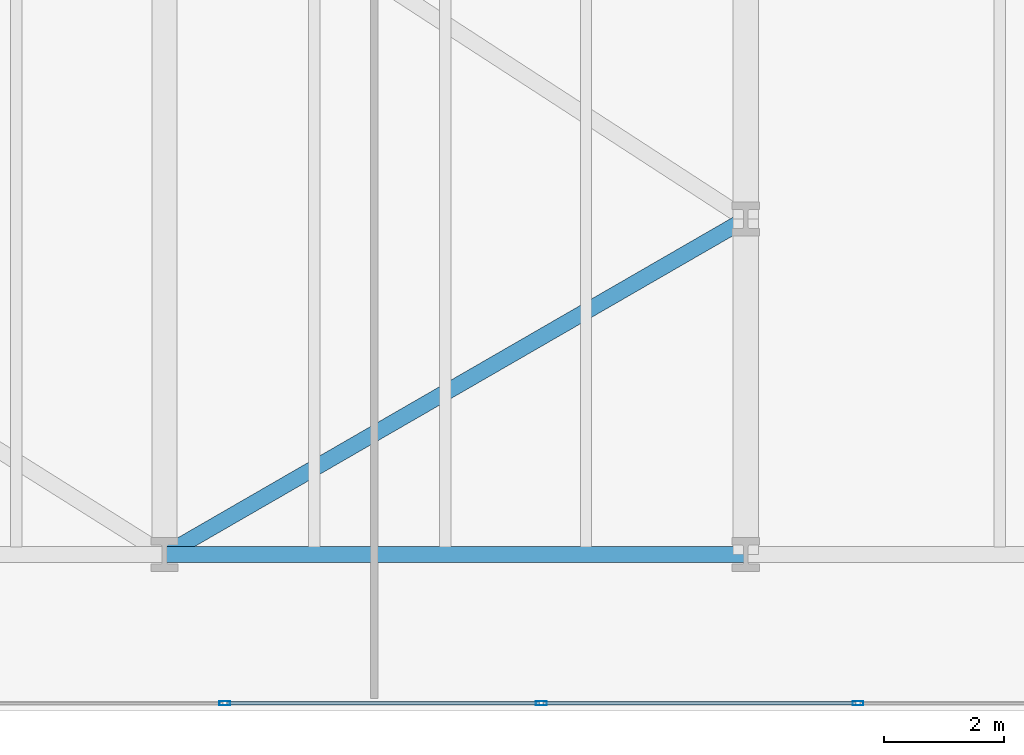
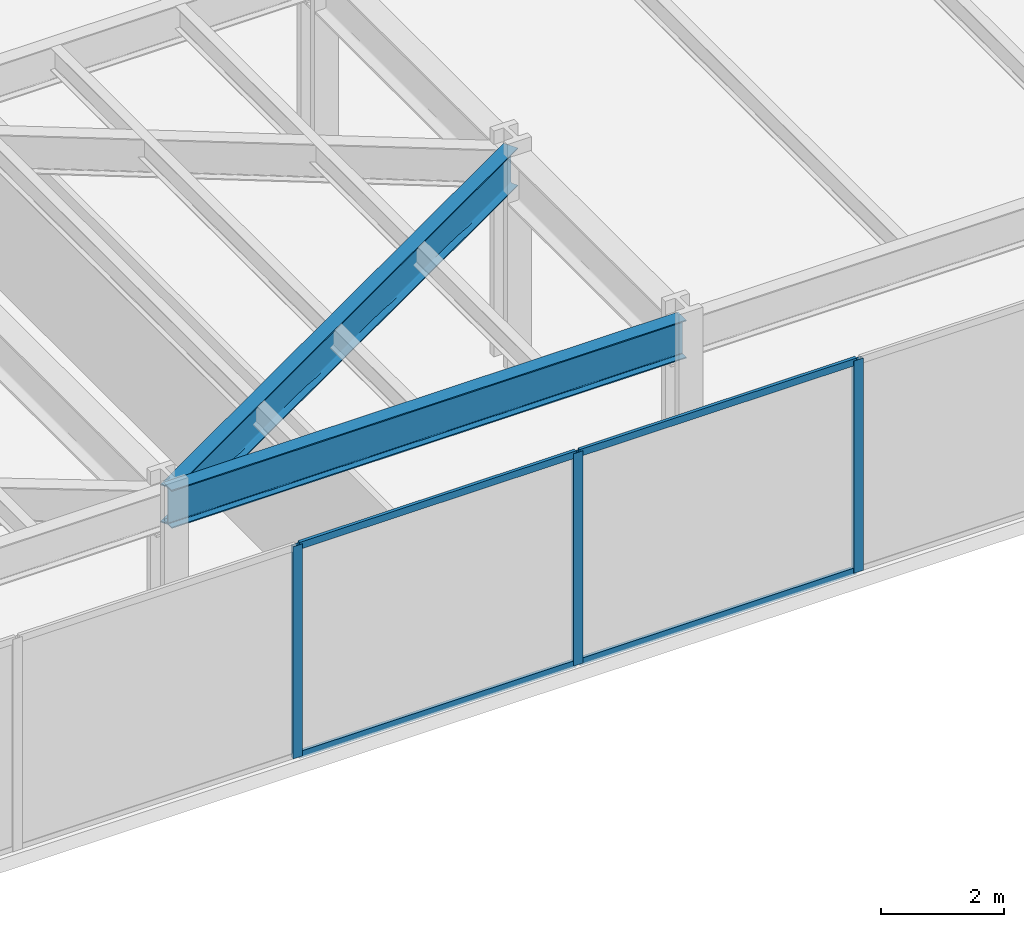
# One storey, part 6 of 28: 7 members, 2 beams, 1 element without a shape of its own.
"""IFC4 building model written with IfcOpenShell, lengths in metres."""

from ifc_helpers import new_model, si_unit, direction, frame, origin, origin_2d, place, context, subcontext, project, spatial, hollow_rectangle, i_section, extrude, material, layer, layer_set, material_profile, profile_set, type_object, element, aggregate, save


model = new_model("IFC4")

# Units and contexts
model_context = context("Model", 3, precision=1e-05, world=origin(), true_north=direction((0.0, 1.0)))
body_context = subcontext(model_context, "Body", "Model", "MODEL_VIEW")
ifc_project = project(units=[si_unit("LENGTHUNIT", "METRE"), si_unit("AREAUNIT", "SQUARE_METRE"), si_unit("VOLUMEUNIT", "CUBIC_METRE"), si_unit("PLANEANGLEUNIT", "RADIAN"), si_unit("MASSUNIT", "GRAM", prefix="KILO")], contexts=[model_context])

# Site, building, storey
site_placement = place(None, origin())
site = spatial("IfcSite", under=ifc_project, at=site_placement, CompositionType="ELEMENT")
building_placement = place(site_placement, origin())
building = spatial("IfcBuilding", under=site, at=building_placement, Name="Kravanh Interchange Tower", CompositionType="ELEMENT")
storey_placement = place(building_placement, frame((0.0, 0.0, 15.300048828125)))
storey = spatial("IfcBuildingStorey", under=building, at=storey_placement, Name="L03", CompositionType="ELEMENT", Elevation=15.300048828125)

# Curtain wall, members
ifc_material_1 = material(Name="Anodised Bronze Aluminium", Category="aluminium")
ifc_layer = layer(ifc_material_1, 0.179931640625)
ifc_layer_set = layer_set([ifc_layer], Name="Unitised Curtain Wall System CW-POD Podium Concourse")
curtain_wall_type = type_object("IfcCurtainWallType", Name="Unitised Curtain Wall System CW-POD Podium Concourse", PredefinedType="NOTDEFINED", material=ifc_layer_set)
curtain_wall_placement = place(storey_placement, origin())
curtain_wall = element("IfcCurtainWall", 1, at=curtain_wall_placement, inside=storey, type_object=curtain_wall_type, Name="L03 Unitised Curtain Wall CW-L03-04", PredefinedType="NOTDEFINED")
ifc_material_2 = material(Name="Anodised Bronze Aluminium", Category="aluminium")
ifc_material_profile_1 = material_profile(ifc_material_2, hollow_rectangle(XDim=0.070068359375, YDim=0.179931640625, WallThickness=0.00390625, at=origin_2d()), Name="ALU70X180X4")
ifc_profile_set_1 = profile_set([ifc_material_profile_1], Name="Anodised Bronze Aluminium")
member_type_1 = type_object("IfcMemberType", Name="Curtain Wall Mullion ALU70X180X4 Bronze", PredefinedType="MULLION", material=ifc_profile_set_1)
member_1_placement = place(storey_placement, frame((29.072998046875, 0.1201171875, 0.0), z_axis=(0.0, 0.0, 1.0), x_axis=(0.0, -1.0, 0.0)))
member_1 = element("IfcMember", 2, at=member_1_placement, type_object=member_type_1, Name="CW-POD mullion 9", PredefinedType="MULLION", context=body_context, shape_type="SweptSolid", body=[
    extrude(hollow_rectangle(XDim=0.070068359375, YDim=0.179931640625, WallThickness=0.00390625, at=origin_2d()), origin(), (0.0, 0.0, 1.0), 4.22998046875),
])
member_2_placement = place(storey_placement, frame((23.788330078125, 0.1201171875, 0.0), z_axis=(0.0, 0.0, 1.0), x_axis=(0.0, -1.0, 0.0)))
member_2 = element("IfcMember", 3, at=member_2_placement, type_object=member_type_1, Name="CW-POD mullion 10", PredefinedType="MULLION", context=body_context, shape_type="SweptSolid", body=[
    extrude(hollow_rectangle(XDim=0.070068359375, YDim=0.179931640625, WallThickness=0.00390625, at=origin_2d()), origin(), (0.0, 0.0, 1.0), 4.22998046875),
])
member_3_placement = place(storey_placement, frame((18.503662109375, 0.1201171875, 0.0), z_axis=(0.0, 0.0, 1.0), x_axis=(0.0, -1.0, 0.0)))
member_3 = element("IfcMember", 4, at=member_3_placement, type_object=member_type_1, Name="CW-POD mullion 11", PredefinedType="MULLION", context=body_context, shape_type="SweptSolid", body=[
    extrude(hollow_rectangle(XDim=0.070068359375, YDim=0.179931640625, WallThickness=0.00390625, at=origin_2d()), origin(), (0.0, 0.0, 1.0), 4.22998046875),
])
ifc_material_3 = material(Name="Anodised Bronze Aluminium", Category="aluminium")
ifc_material_profile_2 = material_profile(ifc_material_3, hollow_rectangle(XDim=0.06005859375, YDim=0.139892578125, WallThickness=0.00390625, at=origin_2d()), Name="ALU60X140X4")
ifc_profile_set_2 = profile_set([ifc_material_profile_2], Name="Anodised Bronze Aluminium")
member_type_2 = type_object("IfcMemberType", Name="Curtain Wall Transom ALU60X140X4 Bronze", PredefinedType="USERDEFINED", material=ifc_profile_set_2)
member_4_placement = place(storey_placement, frame((29.0380859375, 0.1201171875, 0.030029296875), z_axis=(-1.0, 0.0, 0.0), x_axis=(0.0, -1.0, 0.0)))
member_4 = element("IfcMember", 5, at=member_4_placement, type_object=member_type_2, Name="CW-POD transom 9.1", ObjectType="TRANSOM", PredefinedType="USERDEFINED", context=body_context, shape_type="SweptSolid", body=[
    extrude(hollow_rectangle(XDim=0.06005859375, YDim=0.139892578125, WallThickness=0.00390625, at=origin_2d()), origin(), (0.0, 0.0, 1.0), 5.21484375),
])
member_5_placement = place(storey_placement, frame((29.0380859375, 0.1201171875, 4.199951171875), z_axis=(-1.0, 0.0, 0.0), x_axis=(0.0, -1.0, 0.0)))
member_5 = element("IfcMember", 6, at=member_5_placement, type_object=member_type_2, Name="CW-POD transom 9.2", ObjectType="TRANSOM", PredefinedType="USERDEFINED", context=body_context, shape_type="SweptSolid", body=[
    extrude(hollow_rectangle(XDim=0.06005859375, YDim=0.139892578125, WallThickness=0.00390625, at=origin_2d()), origin(), (0.0, 0.0, 1.0), 5.21484375),
])
member_6_placement = place(storey_placement, frame((23.75341796875, 0.1201171875, 0.030029296875), z_axis=(-1.0, 0.0, 0.0), x_axis=(0.0, -1.0, 0.0)))
member_6 = element("IfcMember", 7, at=member_6_placement, type_object=member_type_2, Name="CW-POD transom 10.1", ObjectType="TRANSOM", PredefinedType="USERDEFINED", context=body_context, shape_type="SweptSolid", body=[
    extrude(hollow_rectangle(XDim=0.06005859375, YDim=0.139892578125, WallThickness=0.00390625, at=origin_2d()), origin(), (0.0, 0.0, 1.0), 5.21484375),
])
member_7_placement = place(storey_placement, frame((23.75341796875, 0.1201171875, 4.199951171875), z_axis=(-1.0, 0.0, 0.0), x_axis=(0.0, -1.0, 0.0)))
member_7 = element("IfcMember", 8, at=member_7_placement, type_object=member_type_2, Name="CW-POD transom 10.2", ObjectType="TRANSOM", PredefinedType="USERDEFINED", context=body_context, shape_type="SweptSolid", body=[
    extrude(hollow_rectangle(XDim=0.06005859375, YDim=0.139892578125, WallThickness=0.00390625, at=origin_2d()), origin(), (0.0, 0.0, 1.0), 5.21484375),
])
aggregate(curtain_wall, [member_1, member_2, member_3, member_4, member_5, member_6, member_7])

# Beams
ifc_material_4 = material(Name="Structural Steel S355", Category="steel")
ifc_material_profile_3 = material_profile(ifc_material_4, i_section(OverallWidth=0.26708984375, OverallDepth=0.761962890625, WebThickness=0.014404296875, FlangeThickness=0.021484375, FilletRadius=0.02490234375, at=origin_2d()), Name="W30X116")
ifc_profile_set_3 = profile_set([ifc_material_profile_3], Name="Structural Steel S355")
beam_type = type_object("IfcBeamType", Name="Floor Spandrel W30X116 Structural Steel S355", PredefinedType="SPANDREL", material=ifc_profile_set_3)
beam_1_placement = place(storey_placement, frame((17.5, 2.60009765625, 3.848876953125), z_axis=(1.0, 0.0, 0.0), x_axis=(0.0, 1.0, 0.0)))
element("IfcBeam", 9, at=beam_1_placement, inside=storey, type_object=beam_type, Name="L03 Perimeter Spandrel 4", PredefinedType="SPANDREL", context=body_context, shape_type="SweptSolid", body=[
    extrude(i_section(OverallWidth=0.26708984375, OverallDepth=0.761962890625, WebThickness=0.014404296875, FlangeThickness=0.021484375, FilletRadius=0.02490234375, at=origin_2d()), origin(), (0.0, 0.0, 1.0), 9.699951171875),
])
beam_2_placement = place(storey_placement, frame((17.5, 2.60009765625, 3.848876953125), z_axis=(0.866041482502, 0.499972149811, 0.0), x_axis=(-0.499972149811, 0.866041482502, 0.0)))
element("IfcBeam", 10, at=beam_2_placement, inside=storey, type_object=beam_type, Name="L03 Perimeter Spandrel 6", PredefinedType="SPANDREL", context=body_context, shape_type="SweptSolid", body=[
    extrude(i_section(OverallWidth=0.26708984375, OverallDepth=0.761962890625, WebThickness=0.014404296875, FlangeThickness=0.021484375, FilletRadius=0.02490234375, at=origin_2d()), origin(), (0.0, 0.0, 1.0), 11.200439453125),
])

save(model, "model.ifc")
